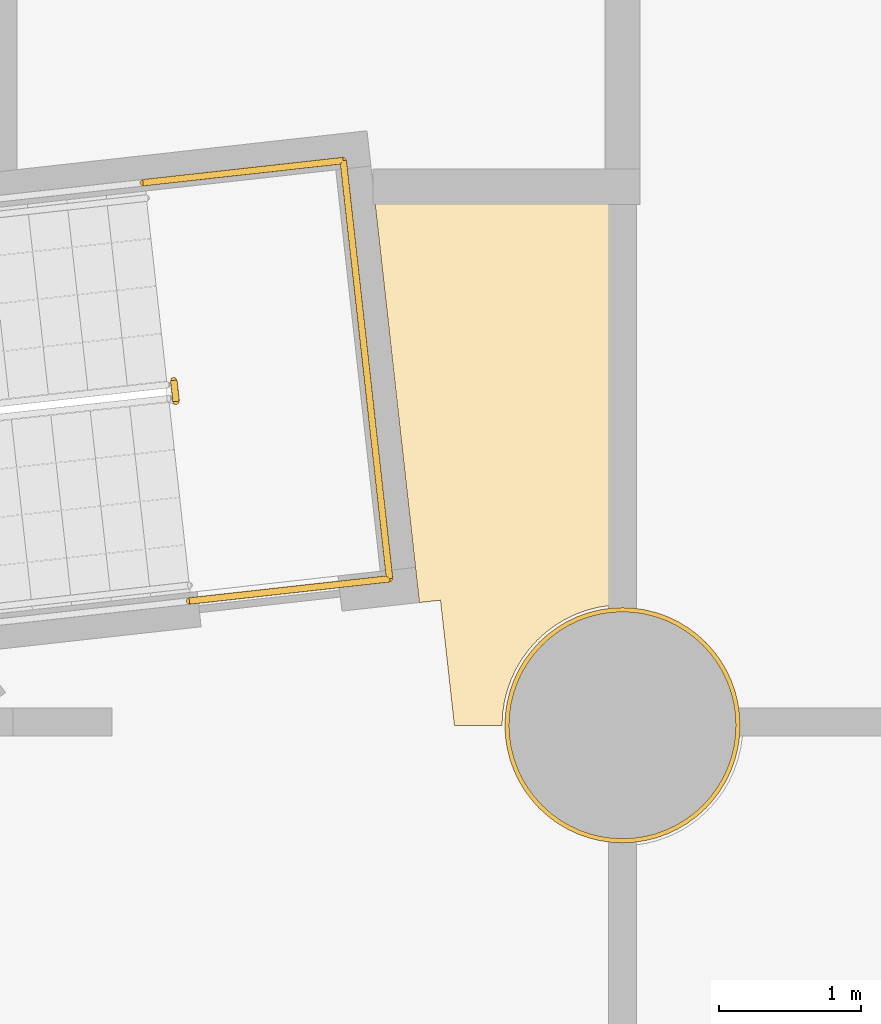
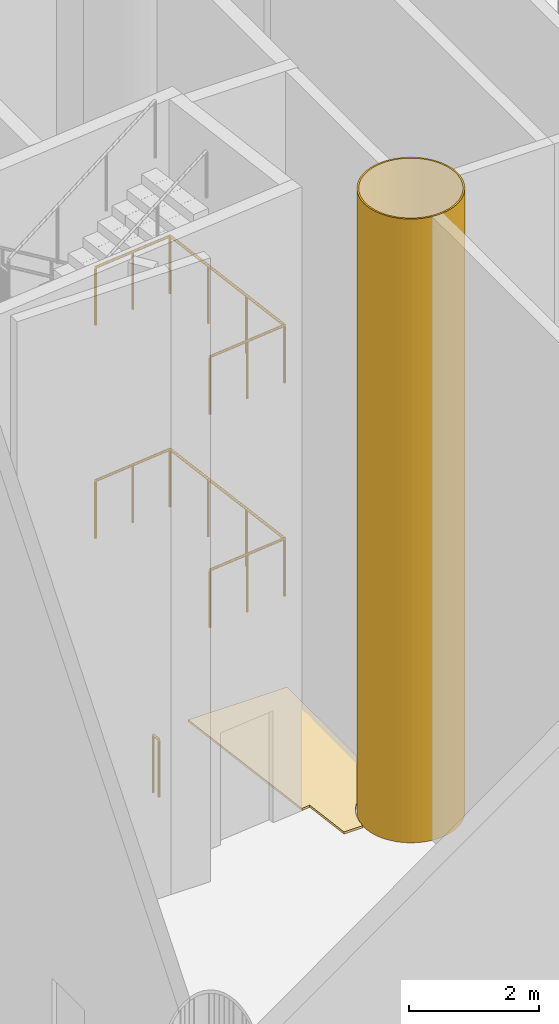
# One storey, part 34 of 52: 3 railings, 2 coverings.
"""IFC4 building model written with IfcOpenShell, lengths in metres."""

from ifc_helpers import new_model, si_unit, direction, frame, origin, origin_2d, place, context, subcontext, project, spatial, polyline, circle, outline, extrude, material, layer, layer_set, type_object, element, save


model = new_model("IFC4")

# Units and contexts
model_context = context("Model", 3, precision=1e-05, world=origin(), true_north=direction((0.0, 1.0)))
body_context = subcontext(model_context, "Body", "Model", "MODEL_VIEW")
ifc_project = project(units=[si_unit("LENGTHUNIT", "METRE"), si_unit("AREAUNIT", "SQUARE_METRE"), si_unit("VOLUMEUNIT", "CUBIC_METRE"), si_unit("PLANEANGLEUNIT", "RADIAN"), si_unit("MASSUNIT", "GRAM", prefix="KILO")], contexts=[model_context])

# Site, building, storey
site_placement = place(None, origin())
site = spatial("IfcSite", under=ifc_project, at=site_placement, CompositionType="ELEMENT")
building_placement = place(site_placement, origin())
building = spatial("IfcBuilding", under=site, at=building_placement, Name="Cantera Rosa Tower", CompositionType="ELEMENT")
storey_placement = place(building_placement, origin())
storey = spatial("IfcBuildingStorey", under=building, at=storey_placement, Name="L00", CompositionType="ELEMENT", Elevation=0.0)

# Coverings
ifc_material_1 = material(Name="Plaster")
ifc_layer_1 = layer(ifc_material_1, 0.030029296875)
ifc_layer_set_1 = layer_set([ifc_layer_1], Name="Column casing 30")
covering_type_1 = type_object("IfcCoveringType", Name="Column casing 30", PredefinedType="CLADDING", material=ifc_layer_set_1)
covering_1_placement = place(storey_placement, origin())
element("IfcCovering", 1, at=covering_1_placement, inside=storey, type_object=covering_type_1, Name="Column casing L00-018", PredefinedType="CLADDING", context=body_context, shape_type="SweptSolid", body=[
    extrude(outline(polyline([(17.6259765625, -12.681396484375), (17.6298828125, -12.60009765625), (17.6259765625, -12.5185546875), (17.614013671875, -12.43798828125), (17.59423828125, -12.359130859375), (17.56689453125, -12.282470703125), (17.531982421875, -12.208740234375), (17.489990234375, -12.138916015625), (17.441650390625, -12.073486328125), (17.386962890625, -12.01318359375), (17.326416015625, -11.95849609375), (17.260986328125, -11.909912109375), (17.19140625, -11.867919921875), (17.11767578125, -11.833251953125), (17.041015625, -11.8056640625), (16.9619140625, -11.785888671875), (16.88134765625, -11.77392578125), (16.800048828125, -11.77001953125), (16.718505859375, -11.77392578125), (16.63818359375, -11.785888671875), (16.55908203125, -11.8056640625), (16.482421875, -11.833251953125), (16.40869140625, -11.867919921875), (16.3388671875, -11.909912109375), (16.2734375, -11.95849609375), (16.213134765625, -12.01318359375), (16.158447265625, -12.073486328125), (16.10986328125, -12.138916015625), (16.068115234375, -12.208740234375), (16.033203125, -12.282470703125), (16.005615234375, -12.359130859375), (15.98583984375, -12.43798828125), (15.97412109375, -12.5185546875), (15.969970703125, -12.60009765625), (15.97412109375, -12.681396484375), (15.98583984375, -12.761962890625), (16.005615234375, -12.8408203125), (16.033203125, -12.91748046875), (16.068115234375, -12.9912109375), (16.10986328125, -13.06103515625), (16.158447265625, -13.12646484375), (16.213134765625, -13.18701171875), (16.2734375, -13.24169921875), (16.3388671875, -13.2900390625), (16.40869140625, -13.33203125), (16.482421875, -13.36669921875), (16.55908203125, -13.394287109375), (16.63818359375, -13.4140625), (16.718505859375, -13.426025390625), (16.800048828125, -13.429931640625), (16.88134765625, -13.426025390625), (16.9619140625, -13.4140625), (17.041015625, -13.394287109375), (17.11767578125, -13.36669921875), (17.19140625, -13.33203125), (17.260986328125, -13.2900390625), (17.326416015625, -13.24169921875), (17.386962890625, -13.18701171875), (17.441650390625, -13.12646484375), (17.489990234375, -13.06103515625), (17.531982421875, -12.9912109375), (17.56689453125, -12.91748046875), (17.59423828125, -12.8408203125), (17.614013671875, -12.761962890625), (17.6259765625, -12.681396484375)]), holes=[polyline([(17.59619140625, -12.521484375), (17.584716796875, -12.44384765625), (17.565673828125, -12.367919921875), (17.5390625, -12.2939453125), (17.505615234375, -12.222900390625), (17.465087890625, -12.155517578125), (17.41845703125, -12.092529296875), (17.36572265625, -12.0341796875), (17.3076171875, -11.981689453125), (17.244384765625, -11.934814453125), (17.177001953125, -11.89453125), (17.106201171875, -11.86083984375), (17.0322265625, -11.83447265625), (16.9560546875, -11.8154296875), (16.87841796875, -11.803955078125), (16.800048828125, -11.800048828125), (16.7216796875, -11.803955078125), (16.643798828125, -11.8154296875), (16.56787109375, -11.83447265625), (16.493896484375, -11.86083984375), (16.4228515625, -11.89453125), (16.35546875, -11.934814453125), (16.29248046875, -11.981689453125), (16.234375, -12.0341796875), (16.181640625, -12.092529296875), (16.134765625, -12.155517578125), (16.094482421875, -12.222900390625), (16.060791015625, -12.2939453125), (16.034423828125, -12.367919921875), (16.015380859375, -12.44384765625), (16.00390625, -12.521484375), (16.0, -12.60009765625), (16.00390625, -12.678466796875), (16.015380859375, -12.756103515625), (16.034423828125, -12.832275390625), (16.060791015625, -12.906005859375), (16.094482421875, -12.97705078125), (16.134765625, -13.04443359375), (16.181640625, -13.107421875), (16.234375, -13.165771484375), (16.29248046875, -13.218505859375), (16.35546875, -13.26513671875), (16.4228515625, -13.305419921875), (16.493896484375, -13.339111328125), (16.56787109375, -13.365478515625), (16.643798828125, -13.384521484375), (16.7216796875, -13.39599609375), (16.800048828125, -13.39990234375), (16.87841796875, -13.39599609375), (16.9560546875, -13.384521484375), (17.0322265625, -13.365478515625), (17.106201171875, -13.339111328125), (17.177001953125, -13.305419921875), (17.244384765625, -13.26513671875), (17.3076171875, -13.218505859375), (17.36572265625, -13.165771484375), (17.41845703125, -13.107421875), (17.465087890625, -13.04443359375), (17.505615234375, -12.97705078125), (17.5390625, -12.906005859375), (17.565673828125, -12.832275390625), (17.584716796875, -12.756103515625), (17.59619140625, -12.678466796875), (17.60009765625, -12.60009765625), (17.59619140625, -12.521484375)])]), origin(), (0.0, 0.0, 1.0), 11.699951171875),
])
ifc_material_2 = material(Name="Stone paving", Category="masonry")
ifc_layer_2 = layer(ifc_material_2, 0.0400390625)
ifc_layer_set_2 = layer_set([ifc_layer_2], Name="Plaza paving 40")
covering_type_2 = type_object("IfcCoveringType", Name="Plaza paving 40", PredefinedType="USERDEFINED", material=ifc_layer_set_2)
covering_2_placement = place(storey_placement, origin())
element("IfcCovering", 2, at=covering_2_placement, inside=storey, type_object=covering_type_2, Name="Paving of the open ground floor", ObjectType="PAVING", PredefinedType="USERDEFINED", context=body_context, shape_type="SweptSolid", body=[
    extrude(outline(polyline([(16.800048828125, -11.75), (16.800048828125, -8.800048828125), (15.040771484375, -8.800048828125), (15.366455078125, -11.73388671875), (14.5380859375, -11.82568359375), (15.515380859375, -11.71728515625), (15.613525390625, -12.60009765625), (15.949951171875, -12.60009765625), (15.9541015625, -12.5166015625), (15.96630859375, -12.43408203125), (15.986572265625, -12.353271484375), (16.0146484375, -12.274658203125), (16.05029296875, -12.19921875), (16.09326171875, -12.127685546875), (16.142822265625, -12.060791015625), (16.198974609375, -11.9990234375), (16.2607421875, -11.94287109375), (16.327880859375, -11.893310546875), (16.3994140625, -11.850341796875), (16.474609375, -11.814697265625), (16.55322265625, -11.78662109375), (16.63427734375, -11.766357421875), (16.716796875, -11.754150390625), (16.800048828125, -11.75)])), origin(), (0.0, 0.0, 1.0), 0.0400390625),
])

# Railings
ifc_material_3 = material(Name="Steel S355J2 (EN 10025-2)", Category="steel")
railing_type = type_object("IfcRailingType", Name="STAIR GUARD 1100", PredefinedType="GUARDRAIL", material=ifc_material_3)
railing_placement = place(storey_placement, frame((13.6328125, -10.16552734375, 0.0)))
element("IfcRailing", 3, at=railing_placement, inside=storey, type_object=railing_type, Name="L00 ST-14 stair guard 7", PredefinedType="GUARDRAIL", context=body_context, shape_type="SweptSolid", body=[
    extrude(circle(Radius=0.02392578125, at=origin_2d()), frame((0.0, 0.0, 1.076171875), z_axis=(0.110610055588, -0.993863881828, 0.0), x_axis=(0.993863881828, 0.110610055588, 0.0)), (0.0, 0.0, 1.0), 0.150146484375),
    extrude(circle(Radius=0.02099609375, at=origin_2d()), origin(), (0.0, 0.0, 1.0), 1.052001953125),
    extrude(circle(Radius=0.02099609375, at=origin_2d()), frame((0.0166015625, -0.149169921875, 0.0)), (0.0, 0.0, 1.0), 1.052001953125),
])
for number, where, name in (
    (4, (13.415771484375, -8.77099609375, 4.0), "L00 ST-14 stair guard 10"),
    (5, (13.415771484375, -8.77099609375, 8.0), "L00 ST-14 stair guard 12"),
):
    element("IfcRailing", number, at=place(storey_placement, frame(where)), inside=storey, type_object=railing_type, Name=name, PredefinedType="GUARDRAIL", context=body_context, shape_type="SweptSolid", body=[
        extrude(circle(Radius=0.02392578125, at=origin_2d()), frame((0.0, 0.0, 1.076171875), z_axis=(0.993887921413, 0.110393838913, 0.0), x_axis=(-0.110393838913, 0.993887921413, 0.0)), (0.0, 0.0, 1.0), 1.422119140625),
        extrude(circle(Radius=0.02392578125, at=origin_2d()), frame((1.413330078125, 0.156982421875, 1.076171875), z_axis=(0.110314237986, -0.993896759678, 0.0), x_axis=(0.993896759678, 0.110314237986, 0.0)), (0.0, 0.0, 1.0), 2.969970703125),
        extrude(circle(Radius=0.02392578125, at=origin_2d()), frame((1.740966796875, -2.794921875, 1.076171875), z_axis=(-0.993887921413, -0.110393838913, 0.0), x_axis=(0.110393838913, -0.993887921413, 0.0)), (0.0, 0.0, 1.0), 1.422119140625),
        extrude(circle(Radius=0.02099609375, at=origin_2d()), origin(), (0.0, 0.0, 1.0), 1.052001953125),
        extrude(circle(Radius=0.02099609375, at=origin_2d()), frame((0.70654296875, 0.07861328125, 0.0)), (0.0, 0.0, 1.0), 1.052001953125),
        extrude(circle(Radius=0.02099609375, at=origin_2d()), frame((1.413330078125, 0.156982421875, 0.0)), (0.0, 0.0, 1.0), 1.052001953125),
        extrude(circle(Radius=0.02099609375, at=origin_2d()), frame((1.5224609375, -0.826904296875, 0.0)), (0.0, 0.0, 1.0), 1.052001953125),
        extrude(circle(Radius=0.02099609375, at=origin_2d()), frame((1.6318359375, -1.81103515625, 0.0)), (0.0, 0.0, 1.0), 1.052001953125),
        extrude(circle(Radius=0.02099609375, at=origin_2d()), frame((1.740966796875, -2.794921875, 0.0)), (0.0, 0.0, 1.0), 1.052001953125),
        extrude(circle(Radius=0.02099609375, at=origin_2d()), frame((1.0341796875, -2.87353515625, 0.0)), (0.0, 0.0, 1.0), 1.052001953125),
        extrude(circle(Radius=0.02099609375, at=origin_2d()), frame((0.32763671875, -2.951904296875, 0.0)), (0.0, 0.0, 1.0), 1.052001953125),
    ])

save(model, "model.ifc")
